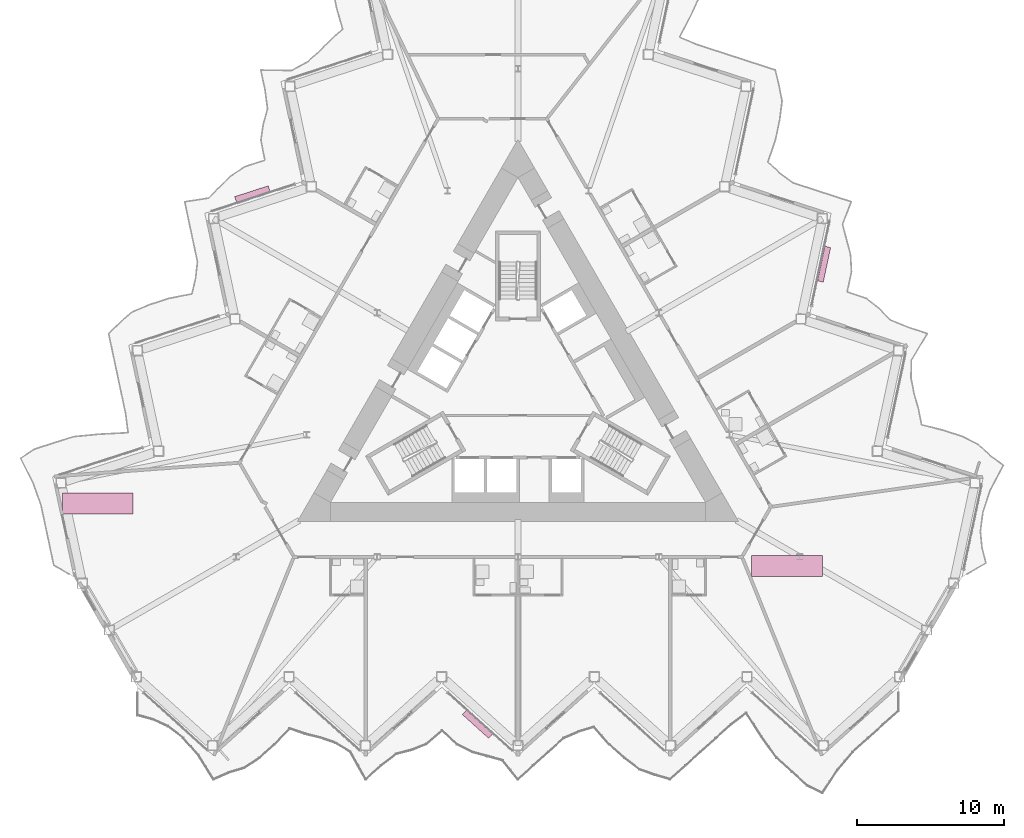
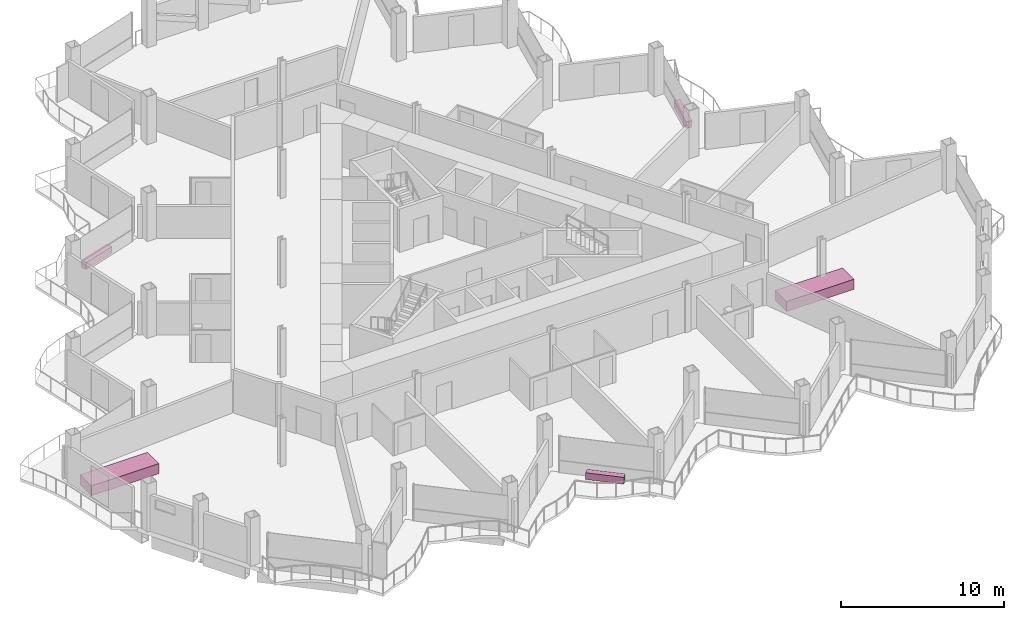
# One storey, part 24 of 24: 5 furniture elements.
"""IFC4 building model written with IfcOpenShell, lengths in metres."""

from ifc_helpers import new_model, si_unit, direction, frame, origin, origin_2d, place, context, subcontext, project, spatial, rectangle, extrude, material, type_object, element, save


model = new_model("IFC4")

# Units and contexts
model_context = context("Model", 3, precision=1e-05, world=origin(), true_north=direction((0.0, 1.0)))
body_context = subcontext(model_context, "Body", "Model", "MODEL_VIEW")
ifc_project = project(units=[si_unit("LENGTHUNIT", "METRE"), si_unit("AREAUNIT", "SQUARE_METRE"), si_unit("VOLUMEUNIT", "CUBIC_METRE"), si_unit("PLANEANGLEUNIT", "RADIAN"), si_unit("MASSUNIT", "GRAM", prefix="KILO")], contexts=[model_context])

# Site, building, storey
site_placement = place(None, origin())
site = spatial("IfcSite", under=ifc_project, at=site_placement, CompositionType="ELEMENT")
building_placement = place(site_placement, origin())
building = spatial("IfcBuilding", under=site, at=building_placement, Name="Cormorant Prow Tower", CompositionType="ELEMENT")
storey_placement = place(building_placement, frame((0.0, 0.0, 231.0)))
storey = spatial("IfcBuildingStorey", under=building, at=storey_placement, Name="L50", CompositionType="ELEMENT", Elevation=231.0)

# Furniture
ifc_material_1 = material(Name="Terracotta", Category="masonry")
furniture_type_1 = type_object("IfcFurnitureType", Name="Balcony planter 2400x400x500", AssemblyPlace="NOTDEFINED", PredefinedType="USERDEFINED", material=ifc_material_1)
for number, where, z_axis, x_axis, name in (
    (1, (-2.753173828125, -22.43701171875, 0.0), (0.0, 0.0, 1.0), (0.74314485959, -0.669130568473, 0.0), "Balcony planter S04"),
    (2, (20.8076171875, 8.834228515625, 0.0), (0.0, 0.0, 1.0), (0.207911675316, 0.978147604029, 0.0), "Balcony planter ENE04"),
    (3, (-18.054443359375, 13.602783203125, 0.0), (0.0, 0.0, 1.0), (-0.951056501755, -0.309017039126, 0.0), "Balcony planter WNW04"),
):
    element("IfcFurniture", number, at=place(storey_placement, frame(where, z_axis=z_axis, x_axis=x_axis)), inside=storey, type_object=furniture_type_1, Name=name, ObjectType="PLANTER", PredefinedType="USERDEFINED", context=body_context, shape_type="SweptSolid", body=[
        extrude(rectangle(XDim=2.39990234375, YDim=0.39990234375, at=origin_2d()), origin(), (0.0, 0.0, 1.0), 0.5),
    ])
ifc_material_2 = material(Name="Timber joinery", Category="wood")
furniture_type_2 = type_object("IfcFurnitureType", Name="Conference table 4800x1400", AssemblyPlace="NOTDEFINED", PredefinedType="TABLE", material=ifc_material_2)
for number, where, z_axis, x_axis, name in (
    (4, (18.286376953125, -11.681396484375, 0.0), (0.0, 0.0, 1.0), (1.0, 0.0, 0.0), "Conference table"),
    (5, (-28.569580078125, -7.431396484375, 0.0), (0.0, 0.0, 1.0), (1.0, 0.0, 0.0), "Conference table"),
):
    element("IfcFurniture", number, at=place(storey_placement, frame(where, z_axis=z_axis, x_axis=x_axis)), inside=storey, type_object=furniture_type_2, Name=name, PredefinedType="TABLE", context=body_context, shape_type="SweptSolid", body=[
        extrude(rectangle(XDim=4.800048828125, YDim=1.39990234375, at=origin_2d()), origin(), (0.0, 0.0, 1.0), 0.75),
    ])

save(model, "model.ifc")
